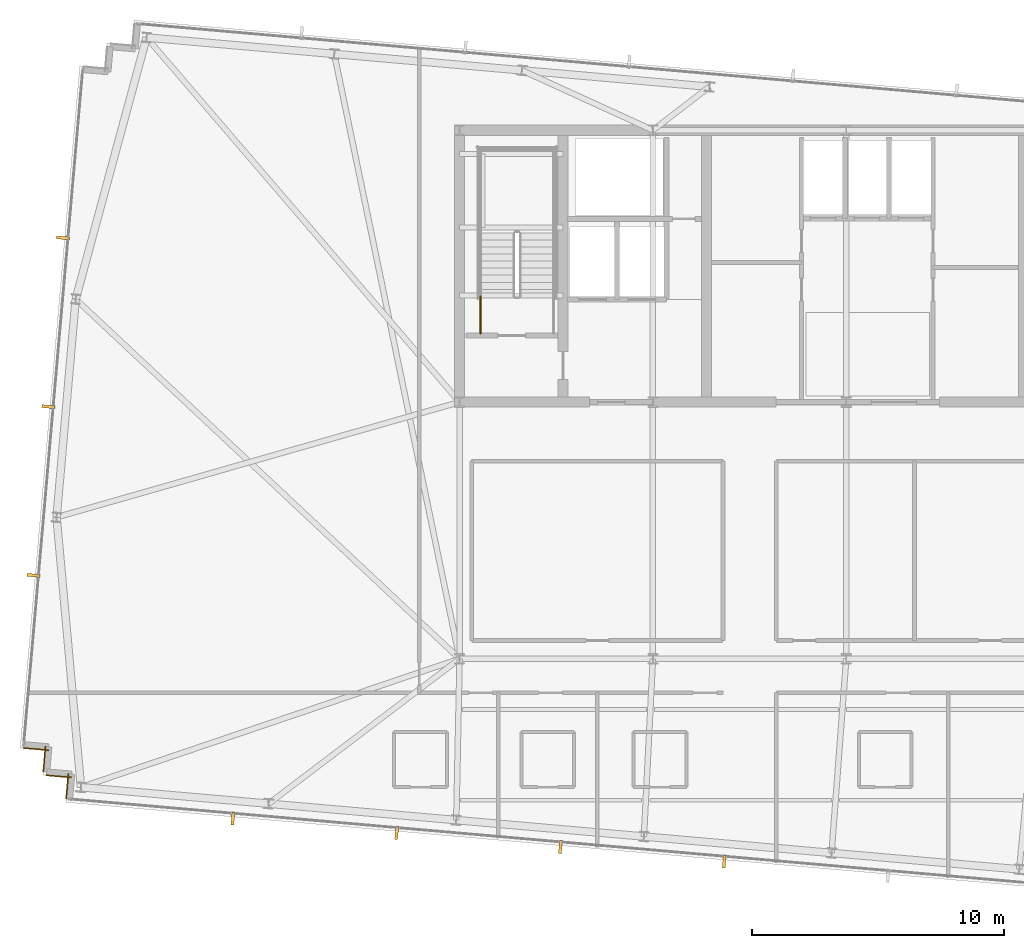
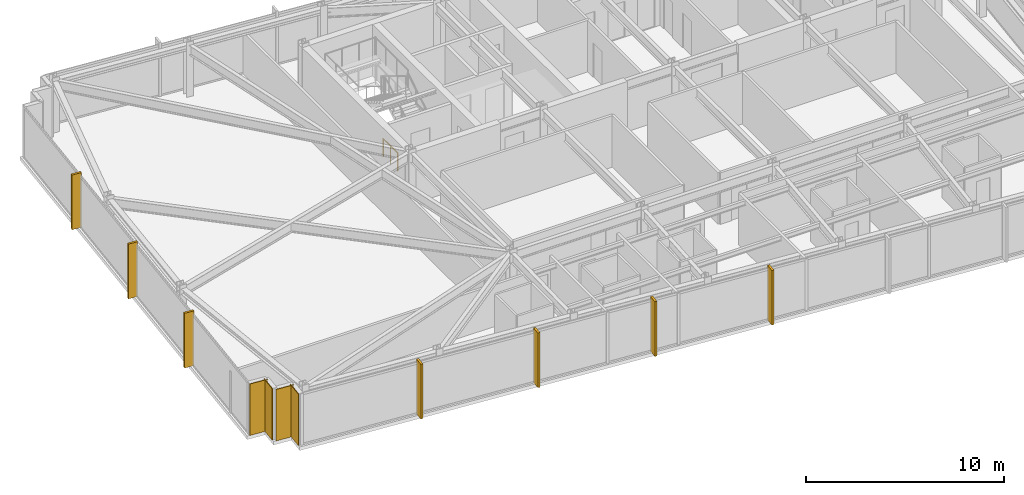
# One storey, part 30 of 33: 7 shading devices, 4 coverings, 1 railing.
"""IFC4 building model written with IfcOpenShell, lengths in metres."""

import ifcopenshell
import ifcopenshell.guid

model = None  # the IFC model being written
_history = None  # IfcOwnerHistory: only IFC2X3 demands one
_inside = {}  # id of a spatial element -> (the spatial element, [elements in it])
_under = {}  # id of a project, library or spatial element -> (it, [spatial elements below it])
_declared = {}  # id of a project -> (the project, [libraries it declares])
_typed = {}  # id of a type object -> (the type object, [elements of that type])
_made_of = {}  # id of a material, layer set ... -> (it, [elements and type objects made of it])


def new_model(schema):
    """Start an empty IFC model of exactly this schema.

    Asked for "IFC4X3", IfcOpenShell would pick the latest addendum, in which some entities
    have other attributes; the version numbers below select the first issue.
    IFC2X3 requires an IfcOwnerHistory on every rooted entity: one is made here for all.
    """
    global model, _history
    if schema == "IFC4X3":
        model = ifcopenshell.file(schema_version=(4, 3, 0, 0))
    else:
        model = ifcopenshell.file(schema=schema)
    _inside.clear()
    _under.clear()
    _declared.clear()
    _typed.clear()
    _made_of.clear()
    _history = None
    if model.schema == "IFC2X3":
        org = make("IfcOrganization", Name="unknown")
        user = make(
            "IfcPersonAndOrganization",
            ThePerson=make("IfcPerson", FamilyName="unknown"),
            TheOrganization=org,
        )
        app = make(
            "IfcApplication",
            ApplicationDeveloper=org,
            Version="unknown",
            ApplicationFullName="unknown",
            ApplicationIdentifier="unknown",
        )
        _history = make(
            "IfcOwnerHistory",
            OwningUser=user,
            OwningApplication=app,
            ChangeAction="ADDED",
            CreationDate=0,
        )
    return model


def make(cls, **values):
    """One entity of the class cls with the attributes given. An attribute that is None is left unset."""
    return model.create_entity(
        cls, **{name: value for name, value in values.items() if value is not None}
    )


def rooted(cls, **values):
    """An entity with a GlobalId (a new one), such as an element, a storey or a relation."""
    return make(cls, GlobalId=ifcopenshell.guid.new(), OwnerHistory=_history, **values)


def si_unit(unit_type, name, prefix=None):
    """IfcSIUnit, for example si_unit("LENGTHUNIT", "METRE", prefix="MILLI")."""
    return make("IfcSIUnit", UnitType=unit_type, Prefix=prefix, Name=name)


def assignment(units):
    """IfcUnitAssignment: the units of a project."""
    return None if units is None else make("IfcUnitAssignment", Units=units)


def point(xyz):
    """IfcCartesianPoint."""
    return None if xyz is None else make("IfcCartesianPoint", Coordinates=xyz)


def direction(xyz):
    """IfcDirection."""
    return None if xyz is None else make("IfcDirection", DirectionRatios=xyz)


def frame(location, z_axis=None, x_axis=None):
    """IfcAxis2Placement3D, a coordinate frame: its origin and axes. An axis left out is left unset."""
    return make(
        "IfcAxis2Placement3D",
        Location=point(location),
        Axis=direction(z_axis),
        RefDirection=direction(x_axis),
    )


def frame_2d(location, x_axis=None):
    """IfcAxis2Placement2D, a coordinate frame in the plane: its origin and x axis."""
    return make(
        "IfcAxis2Placement2D", Location=point(location), RefDirection=direction(x_axis)
    )


def origin():
    """The frame at (0, 0, 0) with its axes left unset."""
    return frame((0.0, 0.0, 0.0))


def origin_2d():
    """The frame at (0, 0) in the plane with its x axis left unset."""
    return frame_2d((0.0, 0.0))


def place(relative_to, where):
    """IfcLocalPlacement: puts the frame where relative to a parent placement (None: the world)."""
    return make(
        "IfcLocalPlacement", PlacementRelTo=relative_to, RelativePlacement=where
    )


def context(
    kind, dimensions, precision=None, world=None, true_north=None, identifier=None
):
    """IfcGeometricRepresentationContext, for example the 3D "Model" context."""
    return make(
        "IfcGeometricRepresentationContext",
        ContextIdentifier=identifier,
        ContextType=kind,
        CoordinateSpaceDimension=dimensions,
        Precision=precision,
        WorldCoordinateSystem=world,
        TrueNorth=true_north,
    )


def subcontext(parent, identifier, kind, view, scale=None):
    """IfcGeometricRepresentationSubContext, for example "Body" below "Model"."""
    return make(
        "IfcGeometricRepresentationSubContext",
        ContextIdentifier=identifier,
        ContextType=kind,
        ParentContext=parent,
        TargetScale=scale,
        TargetView=view,
    )


def project(units=None, contexts=None):
    """IfcProject with its units and contexts."""
    return rooted(
        "IfcProject",
        Name="project",
        RepresentationContexts=contexts,
        UnitsInContext=assignment(units),
    )


def spatial(cls, under=None, at=None, **own):
    """A site, building, storey or space (cls), placed at a placement, below another one or the project."""
    s = rooted(cls, ObjectPlacement=at, **own)
    if under is not None:
        _under.setdefault(under.id(), (under, []))[1].append(s)
    return s


def profile(cls, at=None, kind="AREA", **sizes):
    """A parametric profile (cls). Its sizes go by their IFC names, for example OverallWidth=200.0."""
    return make(cls, ProfileType=kind, Position=at, **sizes)


def rectangle(**sizes):
    """IfcRectangleProfileDef."""
    return profile("IfcRectangleProfileDef", **sizes)


def circle(**sizes):
    """IfcCircleProfileDef."""
    return profile("IfcCircleProfileDef", **sizes)


def extrude(swept, where, along, depth):
    """IfcExtrudedAreaSolid: the profile swept, set in the frame where, extruded along a direction by depth."""
    return make(
        "IfcExtrudedAreaSolid",
        SweptArea=swept,
        Position=where,
        ExtrudedDirection=direction(along),
        Depth=depth,
    )


def shape(context_of_items, identifier, shape_type, items):
    """IfcShapeRepresentation: the items that make up one representation, for example the "Body"."""
    return make(
        "IfcShapeRepresentation",
        ContextOfItems=context_of_items,
        RepresentationIdentifier=identifier,
        RepresentationType=shape_type,
        Items=items,
    )


def material(Name=None, Category=None):
    """IfcMaterial."""
    return make("IfcMaterial", Name=Name, Category=Category)


def layer(
    of_material, thickness, ventilated=None, Name=None, Category=None, Priority=None
):
    """IfcMaterialLayer: one layer of a wall or slab, of a material (None: an air gap)."""
    return make(
        "IfcMaterialLayer",
        Material=of_material,
        LayerThickness=thickness,
        IsVentilated=ventilated,
        Name=Name,
        Category=Category,
        Priority=Priority,
    )


def layer_set(layers, Name=None):
    """IfcMaterialLayerSet."""
    return make("IfcMaterialLayerSet", MaterialLayers=layers, LayerSetName=Name)


def made_of(thing, what):
    """Note that an element or type object is made of a material, layer set ...; save() writes the relation."""
    if what is not None:
        _made_of.setdefault(what.id(), (what, []))[1].append(thing)
    return thing


def type_object(cls, material=None, **own):
    """A type object (cls), such as IfcWallType, which elements share."""
    return made_of(rooted(cls, **own), material)


def element(
    cls,
    number,
    at=None,
    inside=None,
    cuts=None,
    type_object=None,
    material=None,
    context=None,
    identifier="Body",
    shape_type=None,
    held_by="IfcProductDefinitionShape",
    body=None,
    shapes=None,
    **own,
):
    """One element of the class cls, such as IfcWall. Its Tag is "e" and its number.

    at: its placement. inside: the storey or other place that contains it. cuts: it is an
    opening in that element (IfcRelVoidsElement). A single representation is given by context,
    identifier, shape_type and body (its items); several are given by shapes. held_by: the class
    of the entity that holds the representations. save() writes the other relations.
    """
    e = rooted(cls, Tag="e%d" % number, ObjectPlacement=at, **own)
    if body is not None:
        shapes = [shape(context, identifier, shape_type, body)]
    if shapes is not None:
        e.Representation = make(held_by, Representations=shapes)
    if inside is not None:
        _inside.setdefault(inside.id(), (inside, []))[1].append(e)
    if cuts is not None:
        rooted(
            "IfcRelVoidsElement", RelatingBuildingElement=cuts, RelatedOpeningElement=e
        )
    if type_object is not None:
        _typed.setdefault(type_object.id(), (type_object, []))[1].append(e)
    return made_of(e, material)


def aggregate(whole, parts):
    """IfcRelAggregates: a whole, such as a stair, and the parts it consists of."""
    return rooted("IfcRelAggregates", RelatingObject=whole, RelatedObjects=parts)


def save(model, path):
    """Write the relations noted so far, then the file.

    IfcRelAggregates (storeys below a building ...), IfcRelContainedInSpatialStructure (elements
    in a storey), IfcRelDefinesByType, IfcRelAssociatesMaterial and IfcRelDeclares: one each for
    every whole, place, type object, material and project.
    """
    for whole, parts in _under.values():
        aggregate(whole, parts)
    for where, things in _inside.values():
        rooted(
            "IfcRelContainedInSpatialStructure",
            RelatedElements=things,
            RelatingStructure=where,
        )
    for kind, things in _typed.values():
        rooted("IfcRelDefinesByType", RelatedObjects=things, RelatingType=kind)
    for what, things in _made_of.values():
        rooted("IfcRelAssociatesMaterial", RelatedObjects=things, RelatingMaterial=what)
    for by, libraries in _declared.values():
        rooted("IfcRelDeclares", RelatingContext=by, RelatedDefinitions=libraries)
    model.write(path)


model = new_model("IFC4")

# Units and contexts
model_context = context("Model", 3, precision=1e-05, world=origin(), true_north=direction((0.0, 1.0)))
body_context = subcontext(model_context, "Body", "Model", "MODEL_VIEW")
ifc_project = project(units=[si_unit("LENGTHUNIT", "METRE"), si_unit("AREAUNIT", "SQUARE_METRE"), si_unit("VOLUMEUNIT", "CUBIC_METRE"), si_unit("PLANEANGLEUNIT", "RADIAN"), si_unit("MASSUNIT", "GRAM", prefix="KILO")], contexts=[model_context])

# Site, building, storey
site_placement = place(None, origin())
site = spatial("IfcSite", under=ifc_project, at=site_placement, CompositionType="ELEMENT")
building_placement = place(site_placement, origin())
building = spatial("IfcBuilding", under=site, at=building_placement, Name="Yelkora Congress Tower", CompositionType="ELEMENT")
storey_placement = place(building_placement, frame((0.0, 0.0, 282.89990234375)))
storey = spatial("IfcBuildingStorey", under=building, at=storey_placement, Name="L79", CompositionType="ELEMENT", Elevation=282.89990234375)

# Coverings
ifc_material_1 = material(Name="Anatolian bush-hammered limestone", Category="masonry")
ifc_layer_1 = layer(ifc_material_1, 0.0400390625)
ifc_layer_set_1 = layer_set([ifc_layer_1], Name="Anatolian bush-hammered limestone")
covering_type = type_object("IfcCoveringType", Name="COV-CLAD-SPANDREL-40", PredefinedType="CLADDING", material=ifc_layer_set_1)
for number, where, z_axis, x_axis, name in (
    (1, (7.41064453125, 19.63720703125, 0.0), (0.0, 0.0, 1.0), (0.087166950281, 0.996193717496, 0.0), "L79 Anatolian Limestone Cladding EW-L79-SR01"),
    (2, (7.62060546875, 20.4873046875, 0.0), (0.0, 0.0, 1.0), (-0.996214890596, 0.086924632611, 0.0), "L79 Anatolian Limestone Cladding EW-L79-SR02"),
):
    element("IfcCovering", number, at=place(storey_placement, frame(where, z_axis=z_axis, x_axis=x_axis)), inside=storey, type_object=covering_type, Name=name, PredefinedType="CLADDING", context=body_context, shape_type="SweptSolid", body=[
        extrude(rectangle(XDim=1.0, YDim=0.0400390625, at=frame_2d((0.5, 0.0))), origin(), (0.0, 0.0, 1.0), 3.18017578125),
    ])
covering_1_placement = place(storey_placement, frame((6.501708984375, 20.720458984375, 0.0), z_axis=(0.0, 0.0, 1.0), x_axis=(0.087145753297, 0.996195572005, 0.0)))
element("IfcCovering", 3, at=covering_1_placement, inside=storey, type_object=covering_type, Name="L79 Anatolian Limestone Cladding EW-L79-SR03", PredefinedType="CLADDING", context=body_context, shape_type="SweptSolid", body=[
    extrude(rectangle(XDim=1.000244140625, YDim=0.0400390625, at=frame_2d((0.5, 0.0))), origin(), (0.0, 0.0, 1.0), 3.18017578125),
])
covering_2_placement = place(storey_placement, frame((6.71142578125, 21.570556640625, 0.0), z_axis=(0.0, 0.0, 1.0), x_axis=(-0.996193717496, 0.087166950281, 0.0)))
element("IfcCovering", 4, at=covering_2_placement, inside=storey, type_object=covering_type, Name="L79 Anatolian Limestone Cladding EW-L79-SR04", PredefinedType="CLADDING", context=body_context, shape_type="SweptSolid", body=[
    extrude(rectangle(XDim=1.0, YDim=0.0400390625, at=frame_2d((0.5, 0.0))), origin(), (0.0, 0.0, 1.0), 3.18017578125),
])

# Railing
ifc_material_2 = material(Name="Painted galvanised steel stair well guard with vertical infill", Category="steel")
ifc_layer_2 = layer(ifc_material_2, 0.06005859375)
ifc_layer_set_2 = layer_set([ifc_layer_2], Name="Painted galvanised steel stair well guard with vertical infill")
railing_type = type_object("IfcRailingType", Name="RAIL-STAIR-GUARD-1120", PredefinedType="GUARDRAIL", material=ifc_layer_set_2)
railing_placement = place(storey_placement, frame((23.8701171875, 38.1201171875, 0.0)))
element("IfcRailing", 5, at=railing_placement, inside=storey, type_object=railing_type, Name="ST-01 L79 Stair Well Guardrail 9", PredefinedType="GUARDRAIL", context=body_context, shape_type="SweptSolid", body=[
    extrude(circle(Radius=0.02392578125, at=origin_2d()), frame((0.0, 0.0, 1.09619140625), z_axis=(0.0, 1.0, 0.0), x_axis=(-1.0, 0.0, 0.0)), (0.0, 0.0, 1.0), 1.47998046875),
    extrude(circle(Radius=0.02099609375, at=origin_2d()), origin(), (0.0, 0.0, 1.0), 1.072021484375),
    extrude(circle(Radius=0.02099609375, at=origin_2d()), frame((0.0, 0.739990234375, 0.0)), (0.0, 0.0, 1.0), 1.072021484375),
    extrude(circle(Radius=0.02099609375, at=origin_2d()), frame((0.0, 1.47998046875, 0.0)), (0.0, 0.0, 1.0), 1.072021484375),
])

# Shading devices
ifc_material_3 = material(Name="Champagne anodised aluminium", Category="aluminium")
ifc_layer_3 = layer(ifc_material_3, 3.300048828125)
ifc_layer_set_3 = layer_set([ifc_layer_3], Name="Champagne anodised aluminium")
shading_device_type = type_object("IfcShadingDeviceType", Name="SHD-FIN-ALU-520", PredefinedType="USERDEFINED", material=ifc_layer_set_3)
for number, where, z_axis, x_axis, name in (
    (6, (6.114501953125, 28.513916015625, -0.02978515625), (0.0, 0.0, 1.0), (0.087155742748, 0.996194698092, 0.0), "L79 Vertical Anodised Solar Fin 5-1"),
    (7, (6.700927734375, 35.218505859375, -0.02978515625), (0.0, 0.0, 1.0), (0.087155742748, 0.996194698092, 0.0), "L79 Vertical Anodised Solar Fin 5-2"),
    (8, (7.28759765625, 41.9228515625, -0.02978515625), (0.0, 0.0, 1.0), (0.087155742748, 0.996194698092, 0.0), "L79 Vertical Anodised Solar Fin 5-3"),
    (9, (33.553955078125, 17.149169921875, -0.02978515625), (0.0, 0.0, 1.0), (-0.996194698092, 0.087155742748, 0.0), "L79 Vertical Anodised Solar Fin 20-3"),
    (10, (27.04736328125, 17.718505859375, -0.02978515625), (0.0, 0.0, 1.0), (-0.996194698092, 0.087155742748, 0.0), "L79 Vertical Anodised Solar Fin 20-4"),
    (11, (20.541015625, 18.28759765625, -0.02978515625), (0.0, 0.0, 1.0), (-0.996194698092, 0.087155742748, 0.0), "L79 Vertical Anodised Solar Fin 20-5"),
    (12, (14.0341796875, 18.85693359375, -0.02978515625), (0.0, 0.0, 1.0), (-0.996194698092, 0.087155742748, 0.0), "L79 Vertical Anodised Solar Fin 20-6"),
):
    element("IfcShadingDevice", number, at=place(storey_placement, frame(where, z_axis=z_axis, x_axis=x_axis)), inside=storey, type_object=shading_device_type, Name=name, ObjectType="FIN", PredefinedType="USERDEFINED", context=body_context, shape_type="SweptSolid", body=[
        extrude(rectangle(XDim=0.1201171875, YDim=0.52001953125, at=origin_2d()), origin(), (0.0, 0.0, 1.0), 3.3798828125),
    ])

save(model, "model.ifc")
